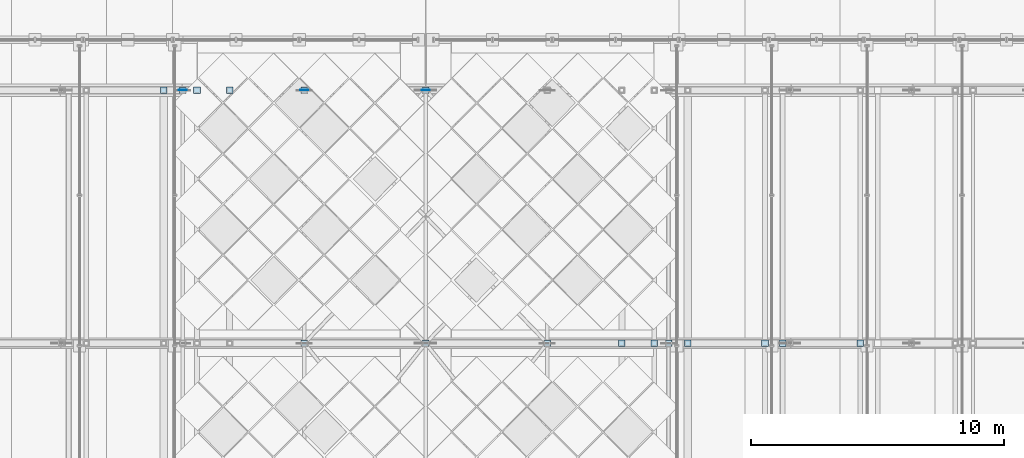
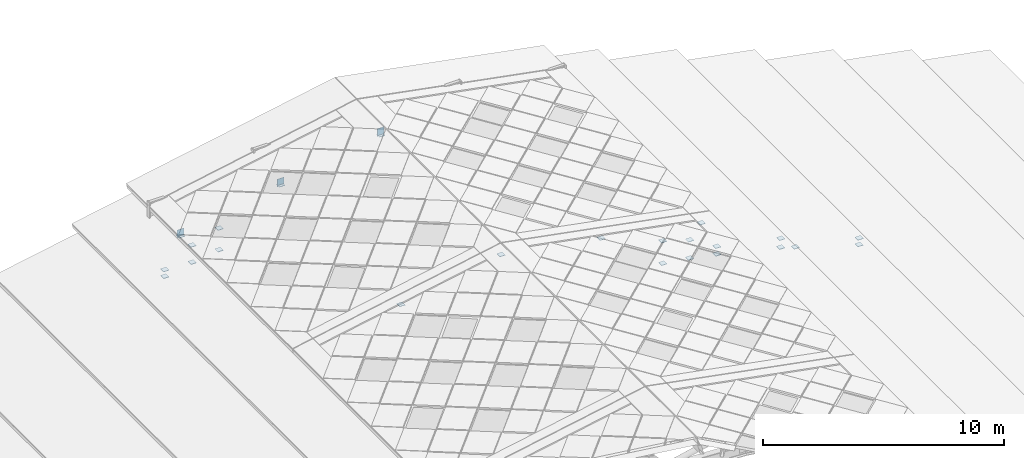
# One storey, part 107 of 117: 27 plates.
"""IFC4 building model written with IfcOpenShell, lengths in metres."""

from ifc_helpers import new_model, si_unit, direction, frame, origin, origin_2d, place, context, subcontext, project, spatial, rectangle, extrude, material, layer, layer_set, type_object, element, save


model = new_model("IFC4")

# Units and contexts
model_context = context("Model", 3, precision=1e-05, world=origin(), true_north=direction((0.0, 1.0)))
body_context = subcontext(model_context, "Body", "Model", "MODEL_VIEW")
ifc_project = project(units=[si_unit("LENGTHUNIT", "METRE"), si_unit("AREAUNIT", "SQUARE_METRE"), si_unit("VOLUMEUNIT", "CUBIC_METRE"), si_unit("PLANEANGLEUNIT", "RADIAN"), si_unit("MASSUNIT", "GRAM", prefix="KILO")], contexts=[model_context])

# Site, building, storey
site_placement = place(None, origin())
site = spatial("IfcSite", under=ifc_project, at=site_placement, CompositionType="ELEMENT")
building_placement = place(site_placement, origin())
building = spatial("IfcBuilding", under=site, at=building_placement, Name="Merenkruunu Market Hall", CompositionType="ELEMENT")
storey_placement = place(building_placement, frame((0.0, 0.0, 22.800048828125)))
storey = spatial("IfcBuildingStorey", under=building, at=storey_placement, Name="RF", CompositionType="ELEMENT", Elevation=22.800048828125)

# Plates
ifc_material = material(Name="Steel S355ML", Category="steel")
ifc_layer_1 = layer(ifc_material, 0.02001953125)
ifc_layer_set_1 = layer_set([ifc_layer_1], Name="Steel S355ML")
plate_type_1 = type_object("IfcPlateType", Name="Truss Gusset Or Cap Plate CP04", PredefinedType="USERDEFINED", material=ifc_layer_set_1)
for number, where, z_axis, x_axis, name in (
    (1, (24.0, 99.60009765625, 0.40185546875), (0.0, 0.0, 1.0), (1.0, 0.0, 0.0), "PLT-AT-8-PCAP-05"),
    (2, (28.800048828125, 99.60009765625, 1.25439453125), (0.0, 0.0, 1.0), (1.0, 0.0, 0.0), "PLT-AT-8-PCAP-06"),
    (3, (33.60009765625, 99.60009765625, 0.40185546875), (0.0, 0.0, 1.0), (1.0, 0.0, 0.0), "PLT-AT-8-PCAP-07"),
    (4, (38.39990234375, 99.60009765625, -0.50048828125), (0.0, 0.0, 1.0), (1.0, 0.0, 0.0), "PLT-AT-8-PCAP-08"),
    (5, (45.969970703125, 99.60009765625, -4.25390625), (0.0, 0.0, 1.0), (1.0, 0.0, 0.0), "PLT-AT-8-RBASE-E4-1"),
    (6, (45.969970703125, 99.60009765625, -3.920166015625), (0.0, 0.0, 1.0), (1.0, 0.0, 0.0), "PLT-AT-8-RCAP-E4-1"),
    (7, (42.909912109375, 99.60009765625, -3.3046875), (0.0, 0.0, 1.0), (1.0, 0.0, 0.0), "PLT-AT-8-RCAP-E4-2"),
    (8, (42.2099609375, 99.60009765625, -3.07177734375), (0.0, 0.0, 1.0), (1.0, 0.0, 0.0), "PLT-AT-8-RBASE-E5-1"),
    (9, (42.2099609375, 99.60009765625, -2.620361328125), (0.0, 0.0, 1.0), (1.0, 0.0, 0.0), "PLT-AT-8-RCAP-E5-1"),
    (10, (39.14990234375, 99.60009765625, -2.344970703125), (0.0, 0.0, 1.0), (1.0, 0.0, 0.0), "PLT-AT-8-RBASE-E5-2"),
    (11, (39.14990234375, 99.60009765625, -1.954345703125), (0.0, 0.0, 1.0), (1.0, 0.0, 0.0), "PLT-AT-8-RCAP-E5-2"),
    (12, (37.840087890625, 99.60009765625, -2.0888671875), (0.0, 0.0, 1.0), (1.0, 0.0, 0.0), "PLT-AT-8-RBASE-E6-1"),
    (13, (37.840087890625, 99.60009765625, -1.1669921875), (0.0, 0.0, 1.0), (1.0, 0.0, 0.0), "PLT-AT-8-RCAP-E6-1"),
    (14, (36.550048828125, 99.60009765625, -1.907958984375), (0.0, 0.0, 1.0), (1.0, 0.0, 0.0), "PLT-AT-8-RBASE-E6-2"),
    (15, (36.550048828125, 99.60009765625, -0.763427734375), (0.0, 0.0, 1.0), (1.0, 0.0, 0.0), "PLT-AT-8-RCAP-E6-2"),
    (16, (19.199951171875, 109.60009765625, -0.50048828125), (0.0, 0.0, 1.0), (1.0, 0.0, 0.0), "PLT-AT-G-PCAP-04"),
    (17, (24.0, 109.60009765625, 0.40185546875), (0.0, 0.0, 1.0), (1.0, 0.0, 0.0), "PLT-AT-G-PCAP-05"),
    (18, (28.800048828125, 109.60009765625, 1.25439453125), (0.0, 0.0, 1.0), (1.0, 0.0, 0.0), "PLT-AT-G-PCAP-06"),
    (19, (18.449951171875, 109.60009765625, -2.2939453125), (0.0, 0.0, 1.0), (1.0, 0.0, 0.0), "PLT-AT-G-RBASE-W5-2"),
    (20, (18.449951171875, 109.60009765625, -1.954345703125), (0.0, 0.0, 1.0), (1.0, 0.0, 0.0), "PLT-AT-G-RCAP-W5-2"),
    (21, (19.760009765625, 109.60009765625, -2.0380859375), (0.0, 0.0, 1.0), (1.0, 0.0, 0.0), "PLT-AT-G-RBASE-W6-1"),
    (22, (19.760009765625, 109.60009765625, -1.1669921875), (0.0, 0.0, 1.0), (1.0, 0.0, 0.0), "PLT-AT-G-RCAP-W6-1"),
    (23, (21.050048828125, 109.60009765625, -1.857177734375), (0.0, 0.0, 1.0), (1.0, 0.0, 0.0), "PLT-AT-G-RBASE-W6-2"),
    (24, (21.050048828125, 109.60009765625, -0.763427734375), (0.0, 0.0, 1.0), (1.0, 0.0, 0.0), "PLT-AT-G-RCAP-W6-2"),
):
    element("IfcPlate", number, at=place(storey_placement, frame(where, z_axis=z_axis, x_axis=x_axis)), inside=storey, type_object=plate_type_1, Name=name, ObjectType="GUSSET_PLATE", PredefinedType="USERDEFINED", context=body_context, shape_type="SweptSolid", body=[
        extrude(rectangle(XDim=0.260009765625, YDim=0.260009765625, at=origin_2d()), origin(), (0.0, 0.0, 1.0), 0.02001953125),
    ])
ifc_layer_2 = layer(ifc_material, 0.02197265625)
ifc_layer_set_2 = layer_set([ifc_layer_2], Name="Steel S355ML")
plate_type_2 = type_object("IfcPlateType", Name="Truss Gusset Or Cap Plate CP05", PredefinedType="USERDEFINED", material=ifc_layer_set_2)
for number, where, z_axis, x_axis, name in (
    (25, (19.199951171875, 109.610107421875, -0.54541015625), (0.0, 0.0, 1.0), (1.0, 0.0, 0.0), "PLT-CROWNCAP-1-2"),
    (26, (24.0, 109.610107421875, 0.35693359375), (0.0, 0.0, 1.0), (1.0, 0.0, 0.0), "PLT-CROWNCAP-2-2"),
    (27, (28.800048828125, 109.610107421875, 1.234375), (0.0, 0.0, 1.0), (1.0, 0.0, 0.0), "PLT-CROWNCAP-3-2"),
):
    element("IfcPlate", number, at=place(storey_placement, frame(where, z_axis=z_axis, x_axis=x_axis)), inside=storey, type_object=plate_type_2, Name=name, ObjectType="GUSSET_PLATE", PredefinedType="USERDEFINED", context=body_context, shape_type="SweptSolid", body=[
        extrude(rectangle(XDim=0.320068359375, YDim=0.02197265625, at=origin_2d()), origin(), (0.0, 0.0, 1.0), 0.3798828125),
    ])

save(model, "model.ifc")
